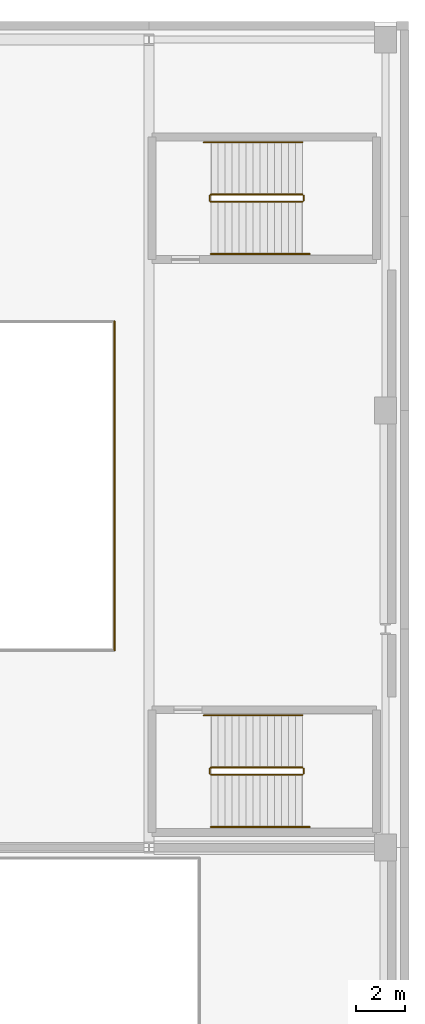
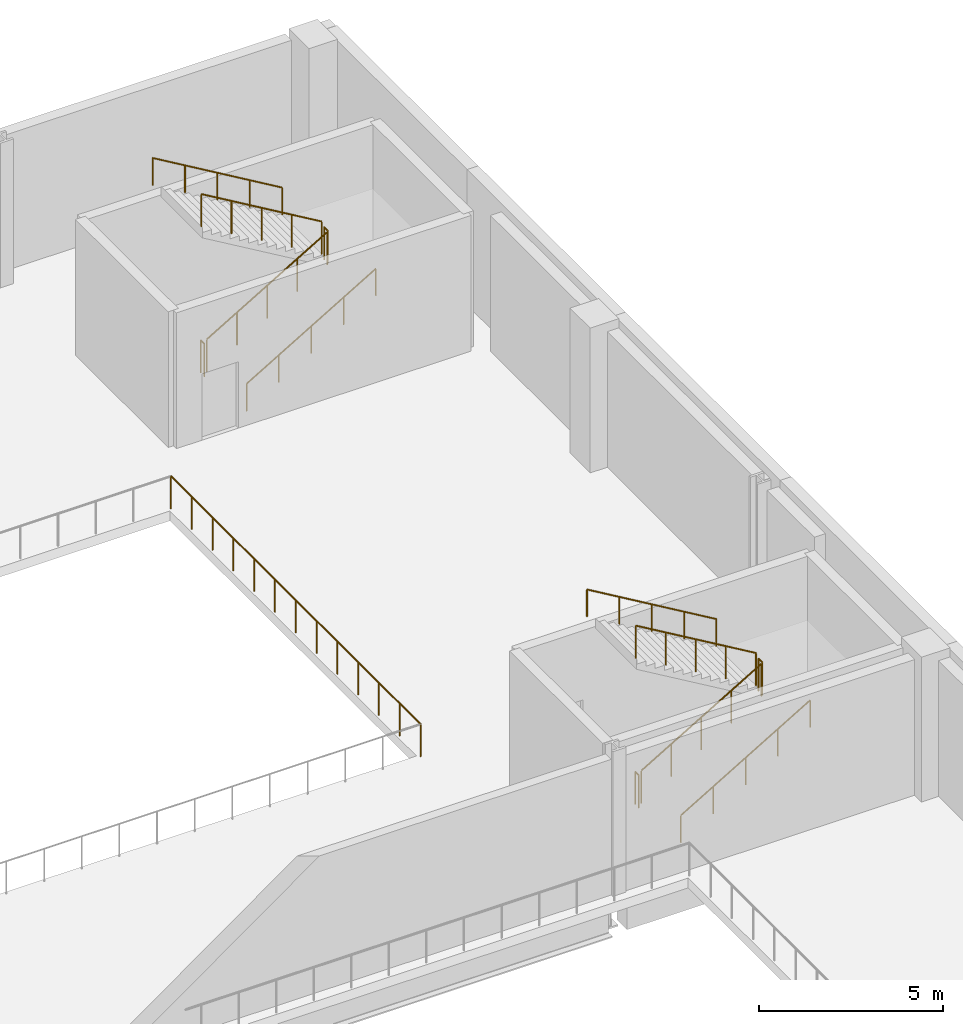
# One storey, part 40 of 41: 13 railings.
"""IFC4 building model written with IfcOpenShell, lengths in metres."""

from ifc_helpers import new_model, si_unit, direction, frame, origin, origin_2d, place, context, subcontext, project, spatial, circle, extrude, material, type_object, element, save


model = new_model("IFC4")

# Units and contexts
model_context = context("Model", 3, precision=1e-05, world=origin(), true_north=direction((0.0, 1.0)))
body_context = subcontext(model_context, "Body", "Model", "MODEL_VIEW")
ifc_project = project(units=[si_unit("LENGTHUNIT", "METRE"), si_unit("AREAUNIT", "SQUARE_METRE"), si_unit("VOLUMEUNIT", "CUBIC_METRE"), si_unit("PLANEANGLEUNIT", "RADIAN"), si_unit("MASSUNIT", "GRAM", prefix="KILO")], contexts=[model_context])

# Site, building, storey
site_placement = place(None, origin())
site = spatial("IfcSite", under=ifc_project, at=site_placement, CompositionType="ELEMENT")
building_placement = place(site_placement, origin())
building = spatial("IfcBuilding", under=site, at=building_placement, Name="Trimount Lyric Opera House", CompositionType="ELEMENT")
storey_placement = place(building_placement, frame((0.0, 0.0, 20.0)))
storey = spatial("IfcBuildingStorey", under=building, at=storey_placement, Name="L04", CompositionType="ELEMENT", Elevation=20.0)

# Railings
ifc_material_1 = material(Name="Brushed Stainless Steel 316", Category="steel")
railing_type_1 = type_object("IfcRailingType", Name="RL-GRD110", PredefinedType="GUARDRAIL", material=ifc_material_1)
railing_1_placement = place(storey_placement, frame((106.550048828125, 110.60009765625, 0.17138671875)))
element("IfcRailing", 1, at=railing_1_placement, inside=storey, type_object=railing_type_1, Name="L04 ST-02 stair guard 1", PredefinedType="GUARDRAIL", context=body_context, shape_type="SweptSolid", body=[
    extrude(circle(Radius=0.02392578125, at=origin_2d()), frame((0.0, 0.0, 1.076171875), z_axis=(0.860848830602, 0.0, 0.508860777473), x_axis=(0.0, 1.0, 0.0)), (0.0, 0.0, 1.0), 4.37939453125),
    extrude(circle(Radius=0.02099609375, at=origin_2d()), origin(), (0.0, 0.0, 1.0), 1.052001953125),
    extrude(circle(Radius=0.02099609375, at=origin_2d()), frame((0.9423828125, 0.0, 0.55712890625)), (0.0, 0.0, 1.0), 1.052001953125),
    extrude(circle(Radius=0.02099609375, at=origin_2d()), frame((1.885009765625, 0.0, 1.1142578125)), (0.0, 0.0, 1.0), 1.052001953125),
    extrude(circle(Radius=0.02099609375, at=origin_2d()), frame((2.82763671875, 0.0, 1.67138671875)), (0.0, 0.0, 1.0), 1.052001953125),
    extrude(circle(Radius=0.02099609375, at=origin_2d()), frame((3.77001953125, 0.0, 2.228515625)), (0.0, 0.0, 1.0), 1.052001953125),
])
railing_2_placement = place(storey_placement, frame((110.3701171875, 110.64990234375, 2.39990234375)))
element("IfcRailing", 2, at=railing_2_placement, inside=storey, type_object=railing_type_1, Name="L04 ST-02 stair guard 2", PredefinedType="GUARDRAIL", context=body_context, shape_type="SweptSolid", body=[
    extrude(circle(Radius=0.02392578125, at=origin_2d()), frame((0.0, 0.0, 1.076171875), z_axis=(0.0, 1.0, 0.0), x_axis=(-1.0, 0.0, 0.0)), (0.0, 0.0, 1.0), 0.2001953125),
    extrude(circle(Radius=0.02099609375, at=origin_2d()), origin(), (0.0, 0.0, 1.0), 1.052001953125),
    extrude(circle(Radius=0.02099609375, at=origin_2d()), frame((0.0, 0.2001953125, 0.0)), (0.0, 0.0, 1.0), 1.052001953125),
])
railing_3_placement = place(storey_placement, frame((110.320068359375, 110.89990234375, 2.571533203125)))
element("IfcRailing", 3, at=railing_3_placement, inside=storey, type_object=railing_type_1, Name="L04 ST-02 stair guard 3", PredefinedType="GUARDRAIL", context=body_context, shape_type="SweptSolid", body=[
    extrude(circle(Radius=0.02392578125, at=origin_2d()), frame((0.0, 0.0, 1.076171875), z_axis=(-0.860848830602, 0.0, 0.508860777473), x_axis=(0.0, -1.0, 0.0)), (0.0, 0.0, 1.0), 4.37939453125),
    extrude(circle(Radius=0.02099609375, at=origin_2d()), origin(), (0.0, 0.0, 1.0), 1.052001953125),
    extrude(circle(Radius=0.02099609375, at=origin_2d()), frame((-0.9423828125, 0.0, 0.55712890625)), (0.0, 0.0, 1.0), 1.052001953125),
    extrude(circle(Radius=0.02099609375, at=origin_2d()), frame((-1.885009765625, 0.0, 1.1142578125)), (0.0, 0.0, 1.0), 1.052001953125),
    extrude(circle(Radius=0.02099609375, at=origin_2d()), frame((-2.82763671875, 0.0, 1.67138671875)), (0.0, 0.0, 1.0), 1.052001953125),
    extrude(circle(Radius=0.02099609375, at=origin_2d()), frame((-3.77001953125, 0.0, 2.228515625)), (0.0, 0.0, 1.0), 1.052001953125),
])
railing_4_placement = place(storey_placement, frame((106.5, 110.64990234375, 0.0)))
element("IfcRailing", 4, at=railing_4_placement, inside=storey, type_object=railing_type_1, Name="L04 ST-02 stair guard 4", PredefinedType="GUARDRAIL", context=body_context, shape_type="SweptSolid", body=[
    extrude(circle(Radius=0.02392578125, at=origin_2d()), frame((0.0, 0.0, 1.076171875), z_axis=(0.0, 1.0, 0.0), x_axis=(-1.0, 0.0, 0.0)), (0.0, 0.0, 1.0), 0.2001953125),
    extrude(circle(Radius=0.02099609375, at=origin_2d()), origin(), (0.0, 0.0, 1.0), 1.052001953125),
    extrude(circle(Radius=0.02099609375, at=origin_2d()), frame((0.0, 0.2001953125, 0.0)), (0.0, 0.0, 1.0), 1.052001953125),
])
railing_5_placement = place(storey_placement, frame((106.550048828125, 87.0, 0.17138671875)))
element("IfcRailing", 5, at=railing_5_placement, inside=storey, type_object=railing_type_1, Name="L04 ST-04 stair guard 1", PredefinedType="GUARDRAIL", context=body_context, shape_type="SweptSolid", body=[
    extrude(circle(Radius=0.02392578125, at=origin_2d()), frame((0.0, 0.0, 1.076171875), z_axis=(0.860848830602, 0.0, 0.508860777473), x_axis=(0.0, 1.0, 0.0)), (0.0, 0.0, 1.0), 4.37939453125),
    extrude(circle(Radius=0.02099609375, at=origin_2d()), origin(), (0.0, 0.0, 1.0), 1.052001953125),
    extrude(circle(Radius=0.02099609375, at=origin_2d()), frame((0.9423828125, 0.0, 0.55712890625)), (0.0, 0.0, 1.0), 1.052001953125),
    extrude(circle(Radius=0.02099609375, at=origin_2d()), frame((1.885009765625, 0.0, 1.1142578125)), (0.0, 0.0, 1.0), 1.052001953125),
    extrude(circle(Radius=0.02099609375, at=origin_2d()), frame((2.82763671875, 0.0, 1.67138671875)), (0.0, 0.0, 1.0), 1.052001953125),
    extrude(circle(Radius=0.02099609375, at=origin_2d()), frame((3.77001953125, 0.0, 2.228515625)), (0.0, 0.0, 1.0), 1.052001953125),
])
railing_6_placement = place(storey_placement, frame((110.3701171875, 87.050048828125, 2.39990234375)))
element("IfcRailing", 6, at=railing_6_placement, inside=storey, type_object=railing_type_1, Name="L04 ST-04 stair guard 2", PredefinedType="GUARDRAIL", context=body_context, shape_type="SweptSolid", body=[
    extrude(circle(Radius=0.02392578125, at=origin_2d()), frame((0.0, 0.0, 1.076171875), z_axis=(0.0, 1.0, 0.0), x_axis=(-1.0, 0.0, 0.0)), (0.0, 0.0, 1.0), 0.199951171875),
    extrude(circle(Radius=0.02099609375, at=origin_2d()), origin(), (0.0, 0.0, 1.0), 1.052001953125),
    extrude(circle(Radius=0.02099609375, at=origin_2d()), frame((0.0, 0.199951171875, 0.0)), (0.0, 0.0, 1.0), 1.052001953125),
])
railing_7_placement = place(storey_placement, frame((110.320068359375, 87.300048828125, 2.571533203125)))
element("IfcRailing", 7, at=railing_7_placement, inside=storey, type_object=railing_type_1, Name="L04 ST-04 stair guard 3", PredefinedType="GUARDRAIL", context=body_context, shape_type="SweptSolid", body=[
    extrude(circle(Radius=0.02392578125, at=origin_2d()), frame((0.0, 0.0, 1.076171875), z_axis=(-0.860848830602, 0.0, 0.508860777473), x_axis=(0.0, -1.0, 0.0)), (0.0, 0.0, 1.0), 4.37939453125),
    extrude(circle(Radius=0.02099609375, at=origin_2d()), origin(), (0.0, 0.0, 1.0), 1.052001953125),
    extrude(circle(Radius=0.02099609375, at=origin_2d()), frame((-0.9423828125, 0.0, 0.55712890625)), (0.0, 0.0, 1.0), 1.052001953125),
    extrude(circle(Radius=0.02099609375, at=origin_2d()), frame((-1.885009765625, 0.0, 1.1142578125)), (0.0, 0.0, 1.0), 1.052001953125),
    extrude(circle(Radius=0.02099609375, at=origin_2d()), frame((-2.82763671875, 0.0, 1.67138671875)), (0.0, 0.0, 1.0), 1.052001953125),
    extrude(circle(Radius=0.02099609375, at=origin_2d()), frame((-3.77001953125, 0.0, 2.228515625)), (0.0, 0.0, 1.0), 1.052001953125),
])
railing_8_placement = place(storey_placement, frame((106.5, 87.050048828125, 0.0)))
element("IfcRailing", 8, at=railing_8_placement, inside=storey, type_object=railing_type_1, Name="L04 ST-04 stair guard 4", PredefinedType="GUARDRAIL", context=body_context, shape_type="SweptSolid", body=[
    extrude(circle(Radius=0.02392578125, at=origin_2d()), frame((0.0, 0.0, 1.076171875), z_axis=(0.0, 1.0, 0.0), x_axis=(-1.0, 0.0, 0.0)), (0.0, 0.0, 1.0), 0.199951171875),
    extrude(circle(Radius=0.02099609375, at=origin_2d()), origin(), (0.0, 0.0, 1.0), 1.052001953125),
    extrude(circle(Radius=0.02099609375, at=origin_2d()), frame((0.0, 0.199951171875, 0.0)), (0.0, 0.0, 1.0), 1.052001953125),
])
railing_9_placement = place(storey_placement, frame((102.580078125, 92.1201171875, 0.0)))
element("IfcRailing", 9, at=railing_9_placement, inside=storey, type_object=railing_type_1, Name="L04 atrium and balcony guard GRD-FLY-L04-E", PredefinedType="GUARDRAIL", context=body_context, shape_type="SweptSolid", body=[
    extrude(circle(Radius=0.02392578125, at=origin_2d()), frame((0.0, 0.0, 1.076171875), z_axis=(0.0, 1.0, 0.0), x_axis=(-1.0, 0.0, 0.0)), (0.0, 0.0, 1.0), 13.559814453125),
    extrude(circle(Radius=0.02099609375, at=origin_2d()), origin(), (0.0, 0.0, 1.0), 1.052001953125),
    extrude(circle(Radius=0.02099609375, at=origin_2d()), frame((0.0, 1.1298828125, 0.0)), (0.0, 0.0, 1.0), 1.052001953125),
    extrude(circle(Radius=0.02099609375, at=origin_2d()), frame((0.0, 2.260009765625, 0.0)), (0.0, 0.0, 1.0), 1.052001953125),
    extrude(circle(Radius=0.02099609375, at=origin_2d()), frame((0.0, 3.389892578125, 0.0)), (0.0, 0.0, 1.0), 1.052001953125),
    extrude(circle(Radius=0.02099609375, at=origin_2d()), frame((0.0, 4.52001953125, 0.0)), (0.0, 0.0, 1.0), 1.052001953125),
    extrude(circle(Radius=0.02099609375, at=origin_2d()), frame((0.0, 5.64990234375, 0.0)), (0.0, 0.0, 1.0), 1.052001953125),
    extrude(circle(Radius=0.02099609375, at=origin_2d()), frame((0.0, 6.77978515625, 0.0)), (0.0, 0.0, 1.0), 1.052001953125),
    extrude(circle(Radius=0.02099609375, at=origin_2d()), frame((0.0, 7.909912109375, 0.0)), (0.0, 0.0, 1.0), 1.052001953125),
    extrude(circle(Radius=0.02099609375, at=origin_2d()), frame((0.0, 9.039794921875, 0.0)), (0.0, 0.0, 1.0), 1.052001953125),
    extrude(circle(Radius=0.02099609375, at=origin_2d()), frame((0.0, 10.169921875, 0.0)), (0.0, 0.0, 1.0), 1.052001953125),
    extrude(circle(Radius=0.02099609375, at=origin_2d()), frame((0.0, 11.2998046875, 0.0)), (0.0, 0.0, 1.0), 1.052001953125),
    extrude(circle(Radius=0.02099609375, at=origin_2d()), frame((0.0, 12.429931640625, 0.0)), (0.0, 0.0, 1.0), 1.052001953125),
    extrude(circle(Radius=0.02099609375, at=origin_2d()), frame((0.0, 13.559814453125, 0.0)), (0.0, 0.0, 1.0), 1.052001953125),
])
ifc_material_2 = material(Name="Brushed Stainless Steel 316", Category="steel")
railing_type_2 = type_object("IfcRailingType", Name="RL-HND092", PredefinedType="HANDRAIL", material=ifc_material_2)
railing_10_placement = place(storey_placement, frame((106.550048828125, 108.449951171875, 0.17138671875)))
element("IfcRailing", 10, at=railing_10_placement, inside=storey, type_object=railing_type_2, Name="L04 ST-02 stair handrail 1", PredefinedType="HANDRAIL", context=body_context, shape_type="SweptSolid", body=[
    extrude(circle(Radius=0.0224609375, at=origin_2d()), frame((0.0, 0.0, 0.8974609375), z_axis=(0.86055955557, 0.0, 0.509349831959), x_axis=(0.0, 1.0, 0.0)), (0.0, 0.0, 1.0), 4.718017578125),
    extrude(circle(Radius=0.02099609375, at=origin_2d()), origin(), (0.0, 0.0, 1.0), 0.875),
    extrude(circle(Radius=0.02099609375, at=origin_2d()), frame((1.01513671875, 0.0, 0.600830078125)), (0.0, 0.0, 1.0), 0.875),
    extrude(circle(Radius=0.02099609375, at=origin_2d()), frame((2.030029296875, 0.0, 1.20166015625)), (0.0, 0.0, 1.0), 0.875),
    extrude(circle(Radius=0.02099609375, at=origin_2d()), frame((3.044921875, 0.0, 1.80224609375)), (0.0, 0.0, 1.0), 0.875),
    extrude(circle(Radius=0.02099609375, at=origin_2d()), frame((4.06005859375, 0.0, 2.403076171875)), (0.0, 0.0, 1.0), 0.875),
])
railing_11_placement = place(storey_placement, frame((110.320068359375, 113.050048828125, 2.571533203125)))
element("IfcRailing", 11, at=railing_11_placement, inside=storey, type_object=railing_type_2, Name="L04 ST-02 stair handrail 2", PredefinedType="HANDRAIL", context=body_context, shape_type="SweptSolid", body=[
    extrude(circle(Radius=0.0224609375, at=origin_2d()), frame((0.0, 0.0, 0.8974609375), z_axis=(-0.86055955557, 0.0, 0.509349831959), x_axis=(0.0, -1.0, 0.0)), (0.0, 0.0, 1.0), 4.718017578125),
    extrude(circle(Radius=0.02099609375, at=origin_2d()), origin(), (0.0, 0.0, 1.0), 0.875),
    extrude(circle(Radius=0.02099609375, at=origin_2d()), frame((-1.01513671875, 0.0, 0.600830078125)), (0.0, 0.0, 1.0), 0.875),
    extrude(circle(Radius=0.02099609375, at=origin_2d()), frame((-2.030029296875, 0.0, 1.20166015625)), (0.0, 0.0, 1.0), 0.875),
    extrude(circle(Radius=0.02099609375, at=origin_2d()), frame((-3.044921875, 0.0, 1.80224609375)), (0.0, 0.0, 1.0), 0.875),
    extrude(circle(Radius=0.02099609375, at=origin_2d()), frame((-4.06005859375, 0.0, 2.403076171875)), (0.0, 0.0, 1.0), 0.875),
])
railing_12_placement = place(storey_placement, frame((106.550048828125, 84.85009765625, 0.17138671875)))
element("IfcRailing", 12, at=railing_12_placement, inside=storey, type_object=railing_type_2, Name="L04 ST-04 stair handrail 1", PredefinedType="HANDRAIL", context=body_context, shape_type="SweptSolid", body=[
    extrude(circle(Radius=0.0224609375, at=origin_2d()), frame((0.0, 0.0, 0.8974609375), z_axis=(0.86055955557, 0.0, 0.509349831959), x_axis=(0.0, 1.0, 0.0)), (0.0, 0.0, 1.0), 4.718017578125),
    extrude(circle(Radius=0.02099609375, at=origin_2d()), origin(), (0.0, 0.0, 1.0), 0.875),
    extrude(circle(Radius=0.02099609375, at=origin_2d()), frame((1.01513671875, 0.0, 0.600830078125)), (0.0, 0.0, 1.0), 0.875),
    extrude(circle(Radius=0.02099609375, at=origin_2d()), frame((2.030029296875, 0.0, 1.20166015625)), (0.0, 0.0, 1.0), 0.875),
    extrude(circle(Radius=0.02099609375, at=origin_2d()), frame((3.044921875, 0.0, 1.80224609375)), (0.0, 0.0, 1.0), 0.875),
    extrude(circle(Radius=0.02099609375, at=origin_2d()), frame((4.06005859375, 0.0, 2.403076171875)), (0.0, 0.0, 1.0), 0.875),
])
railing_13_placement = place(storey_placement, frame((110.320068359375, 89.449951171875, 2.571533203125)))
element("IfcRailing", 13, at=railing_13_placement, inside=storey, type_object=railing_type_2, Name="L04 ST-04 stair handrail 2", PredefinedType="HANDRAIL", context=body_context, shape_type="SweptSolid", body=[
    extrude(circle(Radius=0.0224609375, at=origin_2d()), frame((0.0, 0.0, 0.8974609375), z_axis=(-0.86055955557, 0.0, 0.509349831959), x_axis=(0.0, -1.0, 0.0)), (0.0, 0.0, 1.0), 4.718017578125),
    extrude(circle(Radius=0.02099609375, at=origin_2d()), origin(), (0.0, 0.0, 1.0), 0.875),
    extrude(circle(Radius=0.02099609375, at=origin_2d()), frame((-1.01513671875, 0.0, 0.600830078125)), (0.0, 0.0, 1.0), 0.875),
    extrude(circle(Radius=0.02099609375, at=origin_2d()), frame((-2.030029296875, 0.0, 1.20166015625)), (0.0, 0.0, 1.0), 0.875),
    extrude(circle(Radius=0.02099609375, at=origin_2d()), frame((-3.044921875, 0.0, 1.80224609375)), (0.0, 0.0, 1.0), 0.875),
    extrude(circle(Radius=0.02099609375, at=origin_2d()), frame((-4.06005859375, 0.0, 2.403076171875)), (0.0, 0.0, 1.0), 0.875),
])

save(model, "model.ifc")
